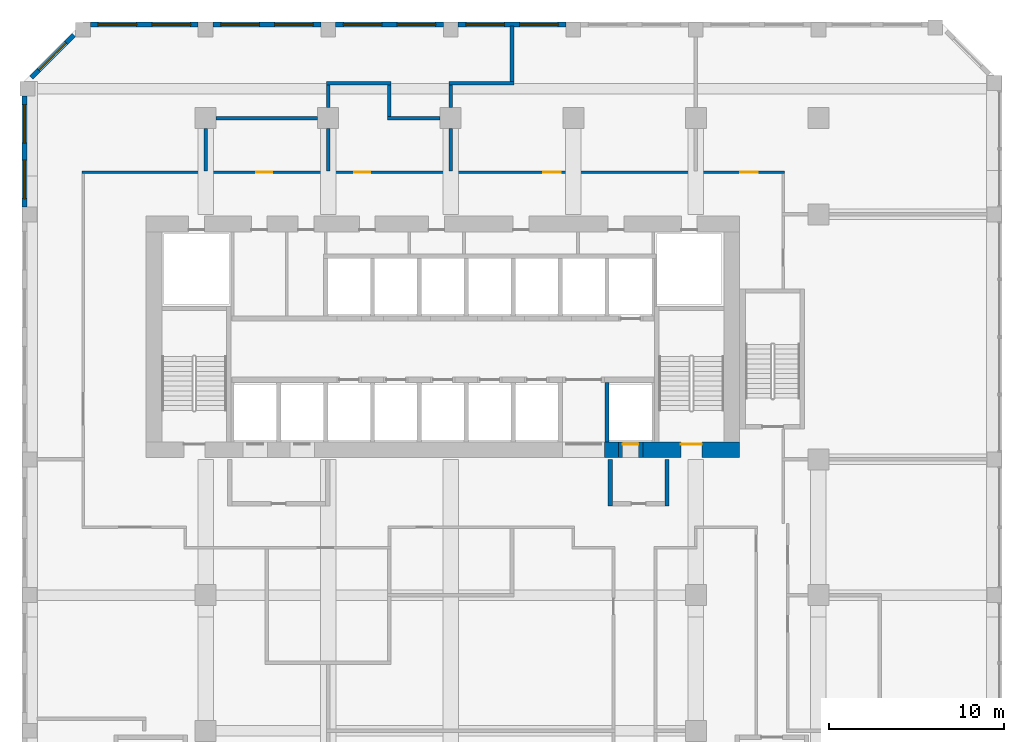
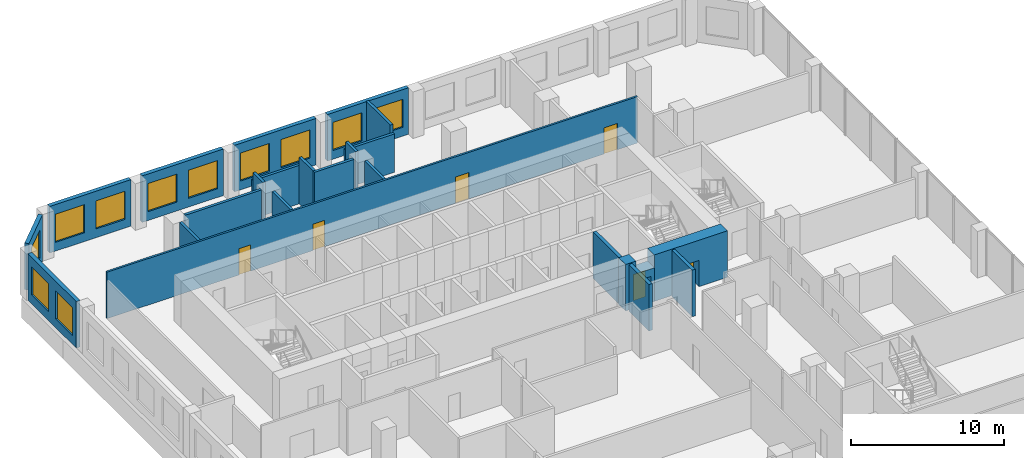
# One storey, part 13 of 17: 24 walls, 11 windows, 6 doors, 17 openings.
"""IFC4 building model written with IfcOpenShell, lengths in metres."""

from ifc_helpers import new_model, si_unit, direction, frame, frame_2d, origin, place, context, subcontext, project, spatial, rectangle, extrude, source, transform, mapped, material, layer, layer_set, type_object, element, fill, save


model = new_model("IFC4")

# Units and contexts
model_context = context("Model", 3, precision=1e-05, world=origin(), true_north=direction((0.0, 1.0)))
body_context = subcontext(model_context, "Body", "Model", "MODEL_VIEW")
ifc_project = project(units=[si_unit("LENGTHUNIT", "METRE"), si_unit("AREAUNIT", "SQUARE_METRE"), si_unit("VOLUMEUNIT", "CUBIC_METRE"), si_unit("PLANEANGLEUNIT", "RADIAN"), si_unit("MASSUNIT", "GRAM", prefix="KILO")], contexts=[model_context])

# Site, building, storey
site_placement = place(None, origin())
site = spatial("IfcSite", under=ifc_project, at=site_placement, CompositionType="ELEMENT")
building_placement = place(site_placement, origin())
building = spatial("IfcBuilding", under=site, at=building_placement, Name="Kilnfold Tower and Market Hall", CompositionType="ELEMENT")
storey_placement = place(building_placement, frame((0.0, 0.0, 100.60009765625)))
storey = spatial("IfcBuildingStorey", under=building, at=storey_placement, Name="L23", CompositionType="ELEMENT", Elevation=100.60009765625)

# Wall, openings, doors
ifc_material_1 = material(Name="Gypsum board on steel studs", Category="steel")
ifc_layer_1 = layer(ifc_material_1, 0.14990234375)
ifc_layer_set_1 = layer_set([ifc_layer_1], Name="Gypsum board on steel studs")
wall_type_1 = type_object("IfcWallType", Name="WALL CORRIDOR 150", PredefinedType="PARTITIONING", material=ifc_layer_set_1)
wall_1_placement = place(storey_placement, frame((-19.574951171875, 24.39990234375, 0.0), z_axis=(0.0, 0.0, 1.0), x_axis=(1.0, 0.0, 0.0)))
wall_1 = element("IfcWall", 1, at=wall_1_placement, inside=storey, type_object=wall_type_1, Name="Partition LY16.35", PredefinedType="PARTITIONING", context=body_context, shape_type="SweptSolid", body=[
    extrude(rectangle(XDim=40.14990234375, YDim=0.14990234375, at=frame_2d((20.074951171875, 0.0))), origin(), (0.0, 0.0, 1.0), 3.719970703125),
])
opening_1_placement = place(wall_1_placement, frame((9.97412109375, 0.0, 0.0)))
opening_1 = element("IfcOpeningElement", 2, at=opening_1_placement, cuts=wall_1, Name="Opening D2", PredefinedType="OPENING", context=body_context, shape_type="SweptSolid", body=[
    extrude(rectangle(XDim=0.89990234375, YDim=2.10009765625, at=frame_2d((0.449951171875, 1.050048828125))), frame((0.0, 0.0849609375, 0.0), z_axis=(0.0, -1.0, 0.0), x_axis=(1.0, 0.0, 0.0)), (0.0, 0.0, 1.0), 0.169921875),
])
opening_2_placement = place(wall_1_placement, frame((15.570068359375, 0.0, 0.0)))
opening_2 = element("IfcOpeningElement", 3, at=opening_2_placement, cuts=wall_1, Name="Opening D3", PredefinedType="OPENING", context=body_context, shape_type="SweptSolid", body=[
    extrude(rectangle(XDim=0.89990234375, YDim=2.10009765625, at=frame_2d((0.449951171875, 1.050048828125))), frame((0.0, 0.0849609375, 0.0), z_axis=(0.0, -1.0, 0.0), x_axis=(1.0, 0.0, 0.0)), (0.0, 0.0, 1.0), 0.169921875),
])
opening_3_placement = place(wall_1_placement, frame((26.373046875, 0.0, 0.0)))
opening_3 = element("IfcOpeningElement", 4, at=opening_3_placement, cuts=wall_1, Name="Opening D1", PredefinedType="OPENING", context=body_context, shape_type="SweptSolid", body=[
    extrude(rectangle(XDim=1.0, YDim=2.10009765625, at=frame_2d((0.5, 1.050048828125))), frame((0.0, 0.0849609375, 0.0), z_axis=(0.0, -1.0, 0.0), x_axis=(1.0, 0.0, 0.0)), (0.0, 0.0, 1.0), 0.169921875),
])
opening_4_placement = place(wall_1_placement, frame((37.618896484375, 0.0, 0.0)))
opening_4 = element("IfcOpeningElement", 5, at=opening_4_placement, cuts=wall_1, Name="Opening D1", PredefinedType="OPENING", context=body_context, shape_type="SweptSolid", body=[
    extrude(rectangle(XDim=1.0, YDim=2.10009765625, at=frame_2d((0.5, 1.050048828125))), frame((0.0, 0.0849609375, 0.0), z_axis=(0.0, -1.0, 0.0), x_axis=(1.0, 0.0, 0.0)), (0.0, 0.0, 1.0), 0.169921875),
])
ifc_material_2 = material(Name="Timber veneer door leaf in steel frame", Category="steel")
door_type_1 = type_object("IfcDoorType", Name="DOOR ENTRY 1000 X2100", OperationType="NOTDEFINED", PredefinedType="DOOR", material=ifc_material_2)
door_1_placement = place(opening_3_placement, origin())
door_1 = element("IfcDoor", 6, at=door_1_placement, inside=storey, type_object=door_type_1, Name="Door D1", OperationType="SINGLE_SWING_RIGHT", OverallHeight=2.10009765625, OverallWidth=1.0, PredefinedType="DOOR", context=body_context, shape_type="SweptSolid", body=[
    extrude(rectangle(XDim=1.0, YDim=2.10009765625, at=frame_2d((0.5, 1.050048828125))), frame((0.0, 0.02490234375, 0.0), z_axis=(0.0, -1.0, 0.0), x_axis=(1.0, 0.0, 0.0)), (0.0, 0.0, 1.0), 0.050048828125),
])
fill(opening_3, door_1)
door_2_placement = place(opening_4_placement, origin())
door_2 = element("IfcDoor", 7, at=door_2_placement, inside=storey, type_object=door_type_1, Name="Door D1", OperationType="SINGLE_SWING_RIGHT", OverallHeight=2.10009765625, OverallWidth=1.0, PredefinedType="DOOR", context=body_context, shape_type="SweptSolid", body=[
    extrude(rectangle(XDim=1.0, YDim=2.10009765625, at=frame_2d((0.5, 1.050048828125))), frame((0.0, 0.02490234375, 0.0), z_axis=(0.0, -1.0, 0.0), x_axis=(1.0, 0.0, 0.0)), (0.0, 0.0, 1.0), 0.050048828125),
])
fill(opening_4, door_2)
ifc_material_3 = material(Name="Timber veneer door leaf in steel frame", Category="steel")
door_type_2 = type_object("IfcDoorType", Name="DOOR ROOM 900 X2100", OperationType="NOTDEFINED", PredefinedType="DOOR", material=ifc_material_3)
door_3_placement = place(opening_1_placement, origin())
door_3 = element("IfcDoor", 8, at=door_3_placement, inside=storey, type_object=door_type_2, Name="Door D2", OperationType="SINGLE_SWING_LEFT", OverallHeight=2.10009765625, OverallWidth=0.89990234375, PredefinedType="DOOR", context=body_context, shape_type="SweptSolid", body=[
    extrude(rectangle(XDim=0.89990234375, YDim=2.10009765625, at=frame_2d((0.449951171875, 1.050048828125))), frame((0.0, 0.02490234375, 0.0), z_axis=(0.0, -1.0, 0.0), x_axis=(1.0, 0.0, 0.0)), (0.0, 0.0, 1.0), 0.050048828125),
])
fill(opening_1, door_3)
ifc_material_4 = material(Name="Timber veneer door leaf in steel frame", Category="steel")
door_type_3 = type_object("IfcDoorType", Name="DOOR WC 900 X2100", OperationType="NOTDEFINED", PredefinedType="DOOR", material=ifc_material_4)
door_4_placement = place(opening_2_placement, origin())
door_4 = element("IfcDoor", 9, at=door_4_placement, inside=storey, type_object=door_type_3, Name="Door D3", OperationType="SINGLE_SWING_LEFT", OverallHeight=2.10009765625, OverallWidth=0.89990234375, PredefinedType="DOOR", context=body_context, shape_type="SweptSolid", body=[
    extrude(rectangle(XDim=0.89990234375, YDim=2.10009765625, at=frame_2d((0.449951171875, 1.050048828125))), frame((0.0, 0.02490234375, 0.0), z_axis=(0.0, -1.0, 0.0), x_axis=(1.0, 0.0, 0.0)), (0.0, 0.0, 1.0), 0.050048828125),
])
fill(opening_2, door_4)

# Walls
ifc_material_5 = material(Name="Gypsum board on steel studs", Category="steel")
ifc_layer_2 = layer(ifc_material_5, 0.199951171875)
ifc_layer_set_2 = layer_set([ifc_layer_2], Name="Gypsum board on steel studs")
wall_type_2 = type_object("IfcWallType", Name="WALL PARTY 200", PredefinedType="PARTITIONING", material=ifc_layer_set_2)
wall_2_placement = place(storey_placement, frame((1.5, 24.47607421875, 0.0), z_axis=(0.0, 0.0, 1.0), x_axis=(0.0, 1.0, 0.0)))
element("IfcWall", 10, at=wall_2_placement, inside=storey, type_object=wall_type_2, Name="Partition LY16.63", PredefinedType="PARTITIONING", context=body_context, shape_type="SweptSolid", body=[
    extrude(rectangle(XDim=2.423828125, YDim=0.199951171875, at=frame_2d((1.2119140625, 0.0))), origin(), (0.0, 0.0, 1.0), 3.719970703125),
])
wall_3_placement = place(storey_placement, frame((1.5, 28.10009765625, 0.0), z_axis=(0.0, 0.0, 1.0), x_axis=(0.0, 1.0, 0.0)))
element("IfcWall", 11, at=wall_3_placement, inside=storey, type_object=wall_type_2, Name="Partition LY16.64", PredefinedType="PARTITIONING", context=body_context, shape_type="SweptSolid", body=[
    extrude(rectangle(XDim=1.2998046875, YDim=0.199951171875, at=frame_2d((0.64990234375, 0.0))), origin(), (0.0, 0.0, 1.0), 3.719970703125),
])
wall_4_placement = place(storey_placement, frame((1.39990234375, 29.5, 0.0), z_axis=(0.0, 0.0, 1.0), x_axis=(1.0, 0.0, 0.0)))
element("IfcWall", 12, at=wall_4_placement, inside=storey, type_object=wall_type_2, Name="Partition LY16.65", PredefinedType="PARTITIONING", context=body_context, shape_type="SweptSolid", body=[
    extrude(rectangle(XDim=3.7001953125, YDim=0.199951171875, at=frame_2d((1.85009765625, 0.0))), origin(), (0.0, 0.0, 1.0), 3.06982421875),
])
wall_5_placement = place(storey_placement, frame((5.0, 29.60009765625, 0.0), z_axis=(0.0, 0.0, 1.0), x_axis=(0.0, 1.0, 0.0)))
element("IfcWall", 13, at=wall_5_placement, inside=storey, type_object=wall_type_2, Name="Partition LY16.66", PredefinedType="PARTITIONING", context=body_context, shape_type="SweptSolid", body=[
    extrude(rectangle(XDim=3.14990234375, YDim=0.199951171875, at=frame_2d((1.574951171875, 0.0))), origin(), (0.0, 0.0, 1.0), 3.719970703125),
])
wall_6_placement = place(storey_placement, frame((-5.5, 24.47607421875, 0.0), z_axis=(0.0, 0.0, 1.0), x_axis=(0.0, 1.0, 0.0)))
element("IfcWall", 14, at=wall_6_placement, inside=storey, type_object=wall_type_2, Name="Partition LY16.67", PredefinedType="PARTITIONING", context=body_context, shape_type="SweptSolid", body=[
    extrude(rectangle(XDim=2.423828125, YDim=0.199951171875, at=frame_2d((1.2119140625, 0.0))), origin(), (0.0, 0.0, 1.0), 3.719970703125),
])
wall_7_placement = place(storey_placement, frame((-2.10009765625, 27.5, 0.0), z_axis=(0.0, 0.0, 1.0), x_axis=(1.0, 0.0, 0.0)))
element("IfcWall", 15, at=wall_7_placement, inside=storey, type_object=wall_type_2, Name="Partition LY16.68", PredefinedType="PARTITIONING", context=body_context, shape_type="SweptSolid", body=[
    extrude(rectangle(XDim=3.0, YDim=0.199951171875, at=frame_2d((1.5, 0.0))), origin(), (0.0, 0.0, 1.0), 3.719970703125),
])
wall_8_placement = place(storey_placement, frame((-5.5, 28.10009765625, 0.0), z_axis=(0.0, 0.0, 1.0), x_axis=(0.0, 1.0, 0.0)))
element("IfcWall", 16, at=wall_8_placement, inside=storey, type_object=wall_type_2, Name="Partition LY16.69", PredefinedType="PARTITIONING", context=body_context, shape_type="SweptSolid", body=[
    extrude(rectangle(XDim=1.2998046875, YDim=0.199951171875, at=frame_2d((0.64990234375, 0.0))), origin(), (0.0, 0.0, 1.0), 3.719970703125),
])
wall_9_placement = place(storey_placement, frame((-5.60009765625, 29.5, 0.0), z_axis=(0.0, 0.0, 1.0), x_axis=(1.0, 0.0, 0.0)))
element("IfcWall", 17, at=wall_9_placement, inside=storey, type_object=wall_type_2, Name="Partition LY16.70", PredefinedType="PARTITIONING", context=body_context, shape_type="SweptSolid", body=[
    extrude(rectangle(XDim=3.7001953125, YDim=0.199951171875, at=frame_2d((1.85009765625, 0.0))), origin(), (0.0, 0.0, 1.0), 3.06982421875),
])
wall_10_placement = place(storey_placement, frame((-2.0, 27.60009765625, 0.0), z_axis=(0.0, 0.0, 1.0), x_axis=(0.0, 1.0, 0.0)))
element("IfcWall", 18, at=wall_10_placement, inside=storey, type_object=wall_type_2, Name="Partition LY16.71", PredefinedType="PARTITIONING", context=body_context, shape_type="SweptSolid", body=[
    extrude(rectangle(XDim=1.7998046875, YDim=0.199951171875, at=frame_2d((0.89990234375, 0.0))), origin(), (0.0, 0.0, 1.0), 3.719970703125),
])
wall_11_placement = place(storey_placement, frame((-12.5, 26.89990234375, 0.0), z_axis=(0.0, 0.0, 1.0), x_axis=(0.0, -1.0, 0.0)))
element("IfcWall", 19, at=wall_11_placement, inside=storey, type_object=wall_type_2, Name="Partition LY16.72", PredefinedType="PARTITIONING", context=body_context, shape_type="SweptSolid", body=[
    extrude(rectangle(XDim=2.423828125, YDim=0.199951171875, at=frame_2d((1.2119140625, 0.0))), origin(), (0.0, 0.0, 1.0), 3.719970703125),
])
wall_12_placement = place(storey_placement, frame((-11.89990234375, 27.5, 0.0), z_axis=(0.0, 0.0, 1.0), x_axis=(1.0, 0.0, 0.0)))
element("IfcWall", 20, at=wall_12_placement, inside=storey, type_object=wall_type_2, Name="Partition LY16.73", PredefinedType="PARTITIONING", context=body_context, shape_type="SweptSolid", body=[
    extrude(rectangle(XDim=5.7998046875, YDim=0.199951171875, at=frame_2d((2.89990234375, 0.0))), origin(), (0.0, 0.0, 1.0), 3.719970703125),
])
ifc_material_6 = material(Name="Concrete C70", Category="concrete")
ifc_layer_3 = layer(ifc_material_6, 0.89990234375)
ifc_layer_set_3 = layer_set([ifc_layer_3], Name="Concrete C70")
wall_type_3 = type_object("IfcWallType", Name="CORE WALL 900 C70", PredefinedType="SHEAR", material=ifc_layer_set_3)
shared_shape_1 = source(origin(), body_context, "Body", "SweptSolid", [
    extrude(rectangle(XDim=0.780029296875, YDim=0.89990234375, at=frame_2d((0.39013671875, 0.0))), origin(), (0.0, 0.0, 1.0), 3.719970703125),
])
wall_13_placement = place(storey_placement, frame((10.2900390625, 8.550048828125, 0.0), z_axis=(0.0, 0.0, 1.0), x_axis=(1.0, 0.0, 0.0)))
element("IfcWall", 21, at=wall_13_placement, inside=storey, type_object=wall_type_3, Name="Core outer wall south", PredefinedType="SHEAR", context=body_context, shape_type="MappedRepresentation", body=[
    mapped(shared_shape_1, transform((0.0, 0.0, 0.0))),
])

# Wall, opening, door
shared_shape_2 = source(origin(), body_context, "Body", "SweptSolid", [
    extrude(rectangle(XDim=5.530029296875, YDim=0.89990234375, at=frame_2d((2.76513671875, 0.0))), origin(), (0.0, 0.0, 1.0), 3.719970703125),
])
wall_14_placement = place(storey_placement, frame((12.469970703125, 8.550048828125, 0.0), z_axis=(0.0, 0.0, 1.0), x_axis=(1.0, 0.0, 0.0)))
wall_14 = element("IfcWall", 22, at=wall_14_placement, inside=storey, type_object=wall_type_3, Name="Core outer wall south", PredefinedType="SHEAR", context=body_context, shape_type="MappedRepresentation", body=[
    mapped(shared_shape_2, transform((0.0, 0.0, 0.0))),
])
opening_5_placement = place(wall_14_placement, frame((2.179931640625, 0.0, 0.0)))
opening_5 = element("IfcOpeningElement", 23, at=opening_5_placement, cuts=wall_14, Name="Opening SD1", PredefinedType="OPENING", context=body_context, shape_type="SweptSolid", body=[
    extrude(rectangle(XDim=1.199951171875, YDim=2.10009765625, at=frame_2d((0.60009765625, 1.050048828125))), frame((0.0, 0.4599609375, 0.0), z_axis=(0.0, -1.0, 0.0), x_axis=(1.0, 0.0, 0.0)), (0.0, 0.0, 1.0), 0.919921875),
])
ifc_material_7 = material(Name="Steel door set with fire-resisting leaf", Category="steel")
door_type_4 = type_object("IfcDoorType", Name="STAIR FLOOR DOOR 1200X2100", OperationType="NOTDEFINED", PredefinedType="DOOR", material=ifc_material_7)
door_5_placement = place(opening_5_placement, origin())
door_5 = element("IfcDoor", 24, at=door_5_placement, inside=storey, type_object=door_type_4, Name="Exit stair ST2 door", OperationType="DOUBLE_DOOR_SINGLE_SWING", OverallHeight=2.10009765625, OverallWidth=1.199951171875, PredefinedType="DOOR", context=body_context, shape_type="SweptSolid", body=[
    extrude(rectangle(XDim=1.199951171875, YDim=2.10009765625, at=frame_2d((0.60009765625, 1.050048828125))), frame((0.0, 0.35498046875, 0.0), z_axis=(0.0, -1.0, 0.0), x_axis=(1.0, 0.0, 0.0)), (0.0, 0.0, 1.0), 0.050048828125),
])
fill(opening_5, door_5)

# Wall, opening, window
ifc_material_8 = material(Name="Precast concrete C50/60", Category="concrete")
ifc_layer_4 = layer(ifc_material_8, 0.300048828125)
ifc_layer_set_4 = layer_set([ifc_layer_4], Name="Precast concrete C50/60")
wall_type_4 = type_object("IfcWallType", Name="PRECAST WALL 300", PredefinedType="SOLIDWALL", material=ifc_layer_set_4)
shared_shape_3 = source(origin(), body_context, "Body", "SweptSolid", [
    extrude(rectangle(XDim=3.429443359375, YDim=0.300048828125, at=frame_2d((1.71484375, 0.0))), origin(), (0.0, 0.0, 1.0), 3.719970703125),
])
wall_15_placement = place(storey_placement, frame((-20.0439453125, 32.243896484375, 0.0), z_axis=(0.0, 0.0, 1.0), x_axis=(-0.707106781187, -0.707106781187, 0.0)))
wall_15 = element("IfcWall", 25, at=wall_15_placement, inside=storey, type_object=wall_type_4, Name="External wall L23 NW", PredefinedType="SOLIDWALL", context=body_context, shape_type="MappedRepresentation", body=[
    mapped(shared_shape_3, transform((0.0, 0.0, 0.0))),
])
opening_6_placement = place(wall_15_placement, frame((0.61474609375, 0.0, 0.699951171875)))
opening_6 = element("IfcOpeningElement", 26, at=opening_6_placement, cuts=wall_15, Name="Opening W1", PredefinedType="OPENING", context=body_context, shape_type="SweptSolid", body=[
    extrude(rectangle(XDim=2.199951171875, YDim=2.25, at=frame_2d((1.10009765625, 1.125))), frame((0.0, 0.16015625, 0.0), z_axis=(0.0, -1.0, 0.0), x_axis=(1.0, 0.0, 0.0)), (0.0, 0.0, 1.0), 0.320068359375),
])
ifc_material_9 = material(Name="Aluminium frame and double glazing", Category="aluminium")
window_type = type_object("IfcWindowType", Name="WINDOW W1 2200X2250", PartitioningType="SINGLE_PANEL", PredefinedType="WINDOW", material=ifc_material_9)
window_1_placement = place(opening_6_placement, origin())
window_1 = element("IfcWindow", 27, at=window_1_placement, inside=storey, type_object=window_type, Name="Window W1 L23 NW-1", OverallHeight=2.25, OverallWidth=2.199951171875, PartitioningType="SINGLE_PANEL", PredefinedType="WINDOW", context=body_context, shape_type="SweptSolid", body=[
    extrude(rectangle(XDim=2.199951171875, YDim=2.25, at=frame_2d((1.10009765625, 1.125))), frame((0.0, 0.030029296875, 0.0), z_axis=(0.0, -1.0, 0.0), x_axis=(1.0, 0.0, 0.0)), (0.0, 0.0, 1.0), 0.06005859375),
])
fill(opening_6, window_1)

# Wall, openings, windows
shared_shape_4 = source(origin(), body_context, "Body", "SweptSolid", [
    extrude(rectangle(XDim=6.14990234375, YDim=0.300048828125, at=frame_2d((3.074951171875, 0.0))), origin(), (0.0, 0.0, 1.0), 3.719970703125),
])
wall_16_placement = place(storey_placement, frame((8.074951171875, 32.85009765625, 0.0), z_axis=(0.0, 0.0, 1.0), x_axis=(-1.0, 0.0, 0.0)))
wall_16 = element("IfcWall", 28, at=wall_16_placement, inside=storey, type_object=wall_type_4, Name="External wall L23 N", PredefinedType="SOLIDWALL", context=body_context, shape_type="MappedRepresentation", body=[
    mapped(shared_shape_4, transform((0.0, 0.0, 0.0))),
])
opening_7_placement = place(wall_16_placement, frame((0.4375, 0.0, 0.699951171875)))
opening_7 = element("IfcOpeningElement", 29, at=opening_7_placement, cuts=wall_16, Name="Opening W1", PredefinedType="OPENING", context=body_context, shape_type="SweptSolid", body=[
    extrude(rectangle(XDim=2.199951171875, YDim=2.25, at=frame_2d((1.10009765625, 1.125))), frame((0.0, 0.16015625, 0.0), z_axis=(0.0, -1.0, 0.0), x_axis=(1.0, 0.0, 0.0)), (0.0, 0.0, 1.0), 0.320068359375),
])
opening_8_placement = place(wall_16_placement, frame((3.512451171875, 0.0, 0.699951171875)))
opening_8 = element("IfcOpeningElement", 30, at=opening_8_placement, cuts=wall_16, Name="Opening W1", PredefinedType="OPENING", context=body_context, shape_type="SweptSolid", body=[
    extrude(rectangle(XDim=2.199951171875, YDim=2.25, at=frame_2d((1.10009765625, 1.125))), frame((0.0, 0.16015625, 0.0), z_axis=(0.0, -1.0, 0.0), x_axis=(1.0, 0.0, 0.0)), (0.0, 0.0, 1.0), 0.320068359375),
])
window_2_placement = place(opening_7_placement, origin())
window_2 = element("IfcWindow", 31, at=window_2_placement, inside=storey, type_object=window_type, Name="Window W1 L23 N-1", OverallHeight=2.25, OverallWidth=2.199951171875, PartitioningType="SINGLE_PANEL", PredefinedType="WINDOW", context=body_context, shape_type="SweptSolid", body=[
    extrude(rectangle(XDim=2.199951171875, YDim=2.25, at=frame_2d((1.10009765625, 1.125))), frame((0.0, 0.030029296875, 0.0), z_axis=(0.0, -1.0, 0.0), x_axis=(1.0, 0.0, 0.0)), (0.0, 0.0, 1.0), 0.06005859375),
])
fill(opening_7, window_2)
window_3_placement = place(opening_8_placement, origin())
window_3 = element("IfcWindow", 32, at=window_3_placement, inside=storey, type_object=window_type, Name="Window W1 L23 N-2", OverallHeight=2.25, OverallWidth=2.199951171875, PartitioningType="SINGLE_PANEL", PredefinedType="WINDOW", context=body_context, shape_type="SweptSolid", body=[
    extrude(rectangle(XDim=2.199951171875, YDim=2.25, at=frame_2d((1.10009765625, 1.125))), frame((0.0, 0.030029296875, 0.0), z_axis=(0.0, -1.0, 0.0), x_axis=(1.0, 0.0, 0.0)), (0.0, 0.0, 1.0), 0.06005859375),
])
fill(opening_8, window_3)

wall_17_placement = place(storey_placement, frame((1.074951171875, 32.85009765625, 0.0), z_axis=(0.0, 0.0, 1.0), x_axis=(-1.0, 0.0, 0.0)))
wall_17 = element("IfcWall", 33, at=wall_17_placement, inside=storey, type_object=wall_type_4, Name="External wall L23 N", PredefinedType="SOLIDWALL", context=body_context, shape_type="MappedRepresentation", body=[
    mapped(shared_shape_4, transform((0.0, 0.0, 0.0))),
])
opening_9_placement = place(wall_17_placement, frame((0.4375, 0.0, 0.699951171875)))
opening_9 = element("IfcOpeningElement", 34, at=opening_9_placement, cuts=wall_17, Name="Opening W1", PredefinedType="OPENING", context=body_context, shape_type="SweptSolid", body=[
    extrude(rectangle(XDim=2.199951171875, YDim=2.25, at=frame_2d((1.10009765625, 1.125))), frame((0.0, 0.16015625, 0.0), z_axis=(0.0, -1.0, 0.0), x_axis=(1.0, 0.0, 0.0)), (0.0, 0.0, 1.0), 0.320068359375),
])
opening_10_placement = place(wall_17_placement, frame((3.512451171875, 0.0, 0.699951171875)))
opening_10 = element("IfcOpeningElement", 35, at=opening_10_placement, cuts=wall_17, Name="Opening W1", PredefinedType="OPENING", context=body_context, shape_type="SweptSolid", body=[
    extrude(rectangle(XDim=2.199951171875, YDim=2.25, at=frame_2d((1.10009765625, 1.125))), frame((0.0, 0.16015625, 0.0), z_axis=(0.0, -1.0, 0.0), x_axis=(1.0, 0.0, 0.0)), (0.0, 0.0, 1.0), 0.320068359375),
])
window_4_placement = place(opening_9_placement, origin())
window_4 = element("IfcWindow", 36, at=window_4_placement, inside=storey, type_object=window_type, Name="Window W1 L23 N-1", OverallHeight=2.25, OverallWidth=2.199951171875, PartitioningType="SINGLE_PANEL", PredefinedType="WINDOW", context=body_context, shape_type="SweptSolid", body=[
    extrude(rectangle(XDim=2.199951171875, YDim=2.25, at=frame_2d((1.10009765625, 1.125))), frame((0.0, 0.030029296875, 0.0), z_axis=(0.0, -1.0, 0.0), x_axis=(1.0, 0.0, 0.0)), (0.0, 0.0, 1.0), 0.06005859375),
])
fill(opening_9, window_4)
window_5_placement = place(opening_10_placement, origin())
window_5 = element("IfcWindow", 37, at=window_5_placement, inside=storey, type_object=window_type, Name="Window W1 L23 N-2", OverallHeight=2.25, OverallWidth=2.199951171875, PartitioningType="SINGLE_PANEL", PredefinedType="WINDOW", context=body_context, shape_type="SweptSolid", body=[
    extrude(rectangle(XDim=2.199951171875, YDim=2.25, at=frame_2d((1.10009765625, 1.125))), frame((0.0, 0.030029296875, 0.0), z_axis=(0.0, -1.0, 0.0), x_axis=(1.0, 0.0, 0.0)), (0.0, 0.0, 1.0), 0.06005859375),
])
fill(opening_10, window_5)

wall_18_placement = place(storey_placement, frame((-5.925048828125, 32.85009765625, 0.0), z_axis=(0.0, 0.0, 1.0), x_axis=(-1.0, 0.0, 0.0)))
wall_18 = element("IfcWall", 38, at=wall_18_placement, inside=storey, type_object=wall_type_4, Name="External wall L23 N", PredefinedType="SOLIDWALL", context=body_context, shape_type="MappedRepresentation", body=[
    mapped(shared_shape_4, transform((0.0, 0.0, 0.0))),
])
opening_11_placement = place(wall_18_placement, frame((0.4375, 0.0, 0.699951171875)))
opening_11 = element("IfcOpeningElement", 39, at=opening_11_placement, cuts=wall_18, Name="Opening W1", PredefinedType="OPENING", context=body_context, shape_type="SweptSolid", body=[
    extrude(rectangle(XDim=2.199951171875, YDim=2.25, at=frame_2d((1.10009765625, 1.125))), frame((0.0, 0.16015625, 0.0), z_axis=(0.0, -1.0, 0.0), x_axis=(1.0, 0.0, 0.0)), (0.0, 0.0, 1.0), 0.320068359375),
])
opening_12_placement = place(wall_18_placement, frame((3.512451171875, 0.0, 0.699951171875)))
opening_12 = element("IfcOpeningElement", 40, at=opening_12_placement, cuts=wall_18, Name="Opening W1", PredefinedType="OPENING", context=body_context, shape_type="SweptSolid", body=[
    extrude(rectangle(XDim=2.199951171875, YDim=2.25, at=frame_2d((1.10009765625, 1.125))), frame((0.0, 0.16015625, 0.0), z_axis=(0.0, -1.0, 0.0), x_axis=(1.0, 0.0, 0.0)), (0.0, 0.0, 1.0), 0.320068359375),
])
window_6_placement = place(opening_11_placement, origin())
window_6 = element("IfcWindow", 41, at=window_6_placement, inside=storey, type_object=window_type, Name="Window W1 L23 N-1", OverallHeight=2.25, OverallWidth=2.199951171875, PartitioningType="SINGLE_PANEL", PredefinedType="WINDOW", context=body_context, shape_type="SweptSolid", body=[
    extrude(rectangle(XDim=2.199951171875, YDim=2.25, at=frame_2d((1.10009765625, 1.125))), frame((0.0, 0.030029296875, 0.0), z_axis=(0.0, -1.0, 0.0), x_axis=(1.0, 0.0, 0.0)), (0.0, 0.0, 1.0), 0.06005859375),
])
fill(opening_11, window_6)
window_7_placement = place(opening_12_placement, origin())
window_7 = element("IfcWindow", 42, at=window_7_placement, inside=storey, type_object=window_type, Name="Window W1 L23 N-2", OverallHeight=2.25, OverallWidth=2.199951171875, PartitioningType="SINGLE_PANEL", PredefinedType="WINDOW", context=body_context, shape_type="SweptSolid", body=[
    extrude(rectangle(XDim=2.199951171875, YDim=2.25, at=frame_2d((1.10009765625, 1.125))), frame((0.0, 0.030029296875, 0.0), z_axis=(0.0, -1.0, 0.0), x_axis=(1.0, 0.0, 0.0)), (0.0, 0.0, 1.0), 0.06005859375),
])
fill(opening_12, window_7)

wall_19_placement = place(storey_placement, frame((-12.925048828125, 32.85009765625, 0.0), z_axis=(0.0, 0.0, 1.0), x_axis=(-1.0, 0.0, 0.0)))
wall_19 = element("IfcWall", 43, at=wall_19_placement, inside=storey, type_object=wall_type_4, Name="External wall L23 N", PredefinedType="SOLIDWALL", context=body_context, shape_type="MappedRepresentation", body=[
    mapped(shared_shape_4, transform((0.0, 0.0, 0.0))),
])
opening_13_placement = place(wall_19_placement, frame((0.4375, 0.0, 0.699951171875)))
opening_13 = element("IfcOpeningElement", 44, at=opening_13_placement, cuts=wall_19, Name="Opening W1", PredefinedType="OPENING", context=body_context, shape_type="SweptSolid", body=[
    extrude(rectangle(XDim=2.199951171875, YDim=2.25, at=frame_2d((1.10009765625, 1.125))), frame((0.0, 0.16015625, 0.0), z_axis=(0.0, -1.0, 0.0), x_axis=(1.0, 0.0, 0.0)), (0.0, 0.0, 1.0), 0.320068359375),
])
opening_14_placement = place(wall_19_placement, frame((3.512451171875, 0.0, 0.699951171875)))
opening_14 = element("IfcOpeningElement", 45, at=opening_14_placement, cuts=wall_19, Name="Opening W1", PredefinedType="OPENING", context=body_context, shape_type="SweptSolid", body=[
    extrude(rectangle(XDim=2.199951171875, YDim=2.25, at=frame_2d((1.10009765625, 1.125))), frame((0.0, 0.16015625, 0.0), z_axis=(0.0, -1.0, 0.0), x_axis=(1.0, 0.0, 0.0)), (0.0, 0.0, 1.0), 0.320068359375),
])
window_8_placement = place(opening_13_placement, origin())
window_8 = element("IfcWindow", 46, at=window_8_placement, inside=storey, type_object=window_type, Name="Window W1 L23 N-1", OverallHeight=2.25, OverallWidth=2.199951171875, PartitioningType="SINGLE_PANEL", PredefinedType="WINDOW", context=body_context, shape_type="SweptSolid", body=[
    extrude(rectangle(XDim=2.199951171875, YDim=2.25, at=frame_2d((1.10009765625, 1.125))), frame((0.0, 0.030029296875, 0.0), z_axis=(0.0, -1.0, 0.0), x_axis=(1.0, 0.0, 0.0)), (0.0, 0.0, 1.0), 0.06005859375),
])
fill(opening_13, window_8)
window_9_placement = place(opening_14_placement, origin())
window_9 = element("IfcWindow", 47, at=window_9_placement, inside=storey, type_object=window_type, Name="Window W1 L23 N-2", OverallHeight=2.25, OverallWidth=2.199951171875, PartitioningType="SINGLE_PANEL", PredefinedType="WINDOW", context=body_context, shape_type="SweptSolid", body=[
    extrude(rectangle(XDim=2.199951171875, YDim=2.25, at=frame_2d((1.10009765625, 1.125))), frame((0.0, 0.030029296875, 0.0), z_axis=(0.0, -1.0, 0.0), x_axis=(1.0, 0.0, 0.0)), (0.0, 0.0, 1.0), 0.06005859375),
])
fill(opening_14, window_9)

shared_shape_5 = source(origin(), body_context, "Body", "SweptSolid", [
    extrude(rectangle(XDim=6.331787109375, YDim=0.300048828125, at=frame_2d((3.166015625, 0.0))), origin(), (0.0, 0.0, 1.0), 3.719970703125),
])
wall_20_placement = place(storey_placement, frame((-22.85009765625, 28.7568359375, 0.0), z_axis=(0.0, 0.0, 1.0), x_axis=(0.0, -1.0, 0.0)))
wall_20 = element("IfcWall", 48, at=wall_20_placement, inside=storey, type_object=wall_type_4, Name="External wall L23 W", PredefinedType="SOLIDWALL", context=body_context, shape_type="MappedRepresentation", body=[
    mapped(shared_shape_5, transform((0.0, 0.0, 0.0))),
])
opening_15_placement = place(wall_20_placement, frame((0.48291015625, 0.0, 0.699951171875)))
opening_15 = element("IfcOpeningElement", 49, at=opening_15_placement, cuts=wall_20, Name="Opening W1", PredefinedType="OPENING", context=body_context, shape_type="SweptSolid", body=[
    extrude(rectangle(XDim=2.199951171875, YDim=2.25, at=frame_2d((1.10009765625, 1.125))), frame((0.0, 0.16015625, 0.0), z_axis=(0.0, -1.0, 0.0), x_axis=(1.0, 0.0, 0.0)), (0.0, 0.0, 1.0), 0.320068359375),
])
opening_16_placement = place(wall_20_placement, frame((3.648681640625, 0.0, 0.699951171875)))
opening_16 = element("IfcOpeningElement", 50, at=opening_16_placement, cuts=wall_20, Name="Opening W1", PredefinedType="OPENING", context=body_context, shape_type="SweptSolid", body=[
    extrude(rectangle(XDim=2.199951171875, YDim=2.25, at=frame_2d((1.10009765625, 1.125))), frame((0.0, 0.16015625, 0.0), z_axis=(0.0, -1.0, 0.0), x_axis=(1.0, 0.0, 0.0)), (0.0, 0.0, 1.0), 0.320068359375),
])
window_10_placement = place(opening_15_placement, origin())
window_10 = element("IfcWindow", 51, at=window_10_placement, inside=storey, type_object=window_type, Name="Window W1 L23 W-1", OverallHeight=2.25, OverallWidth=2.199951171875, PartitioningType="SINGLE_PANEL", PredefinedType="WINDOW", context=body_context, shape_type="SweptSolid", body=[
    extrude(rectangle(XDim=2.199951171875, YDim=2.25, at=frame_2d((1.10009765625, 1.125))), frame((0.0, 0.030029296875, 0.0), z_axis=(0.0, -1.0, 0.0), x_axis=(1.0, 0.0, 0.0)), (0.0, 0.0, 1.0), 0.06005859375),
])
fill(opening_15, window_10)
window_11_placement = place(opening_16_placement, origin())
window_11 = element("IfcWindow", 52, at=window_11_placement, inside=storey, type_object=window_type, Name="Window W1 L23 W-2", OverallHeight=2.25, OverallWidth=2.199951171875, PartitioningType="SINGLE_PANEL", PredefinedType="WINDOW", context=body_context, shape_type="SweptSolid", body=[
    extrude(rectangle(XDim=2.199951171875, YDim=2.25, at=frame_2d((1.10009765625, 1.125))), frame((0.0, 0.030029296875, 0.0), z_axis=(0.0, -1.0, 0.0), x_axis=(1.0, 0.0, 0.0)), (0.0, 0.0, 1.0), 0.06005859375),
])
fill(opening_16, window_11)

# Walls
ifc_material_10 = material(Name="Gypsum shaft wall system")
ifc_layer_5 = layer(ifc_material_10, 0.25)
ifc_layer_set_5 = layer_set([ifc_layer_5], Name="Gypsum shaft wall system")
wall_type_5 = type_object("IfcWallType", Name="LOBBY WALL 250", PredefinedType="PARTITIONING", material=ifc_layer_set_5)
shared_shape_6 = source(origin(), body_context, "Body", "SweptSolid", [
    extrude(rectangle(XDim=2.64990234375, YDim=0.25, at=frame_2d((1.324951171875, 0.0))), origin(), (0.0, 0.0, 1.0), 3.719970703125),
])
for number, where, z_axis, x_axis, name in (
    (53, (10.60498046875, 5.35009765625, 0.0), (0.0, 0.0, 1.0), (0.0, 1.0, 0.0), "Firefighting lobby wall"),
    (54, (13.85498046875, 5.35009765625, 0.0), (0.0, 0.0, 1.0), (0.0, 1.0, 0.0), "Firefighting lobby wall"),
):
    element("IfcWall", number, at=place(storey_placement, frame(where, z_axis=z_axis, x_axis=x_axis)), inside=storey, type_object=wall_type_5, Name=name, PredefinedType="PARTITIONING", context=body_context, shape_type="MappedRepresentation", body=[
        mapped(shared_shape_6, transform((0.0, 0.0, 0.0))),
    ])
ifc_material_11 = material(Name="Gypsum shaft wall system")
ifc_layer_6 = layer(ifc_material_11, 0.25)
ifc_layer_set_6 = layer_set([ifc_layer_6], Name="Gypsum shaft wall system")
wall_type_6 = type_object("IfcWallType", Name="SHAFT WALL 250", PredefinedType="PARTITIONING", material=ifc_layer_set_6)
shared_shape_7 = source(origin(), body_context, "Body", "SweptSolid", [
    extrude(rectangle(XDim=3.39990234375, YDim=0.25, at=frame_2d((1.699951171875, 0.0))), origin(), (0.0, 0.0, 1.0), 3.719970703125),
])
wall_21_placement = place(storey_placement, frame((10.429931640625, 9.0, 0.0), z_axis=(0.0, 0.0, 1.0), x_axis=(0.0, 1.0, 0.0)))
element("IfcWall", 55, at=wall_21_placement, inside=storey, type_object=wall_type_6, Name="Lift shaft wall", PredefinedType="PARTITIONING", context=body_context, shape_type="MappedRepresentation", body=[
    mapped(shared_shape_7, transform((0.0, 0.0, 0.0))),
])

# Wall, opening, door
ifc_material_12 = material(Name="Gypsum shaft wall system")
ifc_layer_7 = layer(ifc_material_12, 0.89990234375)
ifc_layer_set_7 = layer_set([ifc_layer_7], Name="Gypsum shaft wall system")
wall_type_7 = type_object("IfcWallType", Name="LOBBY WALL 900", PredefinedType="PARTITIONING", material=ifc_layer_set_7)
shared_shape_8 = source(origin(), body_context, "Body", "SweptSolid", [
    extrude(rectangle(XDim=1.39990234375, YDim=0.89990234375, at=frame_2d((0.699951171875, 0.0))), origin(), (0.0, 0.0, 1.0), 2.699951171875),
])
wall_22_placement = place(storey_placement, frame((11.070068359375, 8.550048828125, 0.0), z_axis=(0.0, 0.0, 1.0), x_axis=(1.0, 0.0, 0.0)))
wall_22 = element("IfcWall", 56, at=wall_22_placement, inside=storey, type_object=wall_type_7, Name="Core wall infill", PredefinedType="PARTITIONING", context=body_context, shape_type="MappedRepresentation", body=[
    mapped(shared_shape_8, transform((0.0, 0.0, 0.0))),
])
opening_17_placement = place(wall_22_placement, frame((0.25, 0.0, 0.0)))
opening_17 = element("IfcOpeningElement", 57, at=opening_17_placement, cuts=wall_22, Name="Opening LD1", PredefinedType="OPENING", context=body_context, shape_type="SweptSolid", body=[
    extrude(rectangle(XDim=0.89990234375, YDim=2.10009765625, at=frame_2d((0.449951171875, 1.050048828125))), frame((0.0, 0.4599609375, 0.0), z_axis=(0.0, -1.0, 0.0), x_axis=(1.0, 0.0, 0.0)), (0.0, 0.0, 1.0), 0.919921875),
])
ifc_material_13 = material(Name="Steel door set with fire-resisting leaf", Category="steel")
door_type_5 = type_object("IfcDoorType", Name="FIREFIGHTING LANDING DOOR 900X2100", OperationType="NOTDEFINED", PredefinedType="DOOR", material=ifc_material_13)
door_6_placement = place(opening_17_placement, origin())
door_6 = element("IfcDoor", 58, at=door_6_placement, inside=storey, type_object=door_type_5, Name="Landing door FF3", OperationType="SLIDING_TO_LEFT", OverallHeight=2.10009765625, OverallWidth=0.89990234375, PredefinedType="DOOR", context=body_context, shape_type="SweptSolid", body=[
    extrude(rectangle(XDim=0.89990234375, YDim=2.10009765625, at=frame_2d((0.449951171875, 1.050048828125))), frame((0.0, 0.35498046875, 0.0), z_axis=(0.0, -1.0, 0.0), x_axis=(1.0, 0.0, 0.0)), (0.0, 0.0, 1.0), 0.050048828125),
])
fill(opening_17, door_6)

save(model, "model.ifc")
